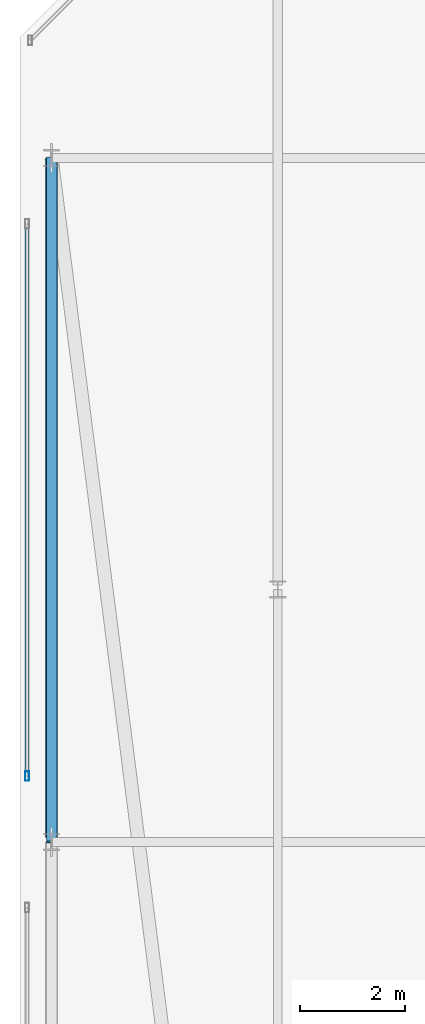
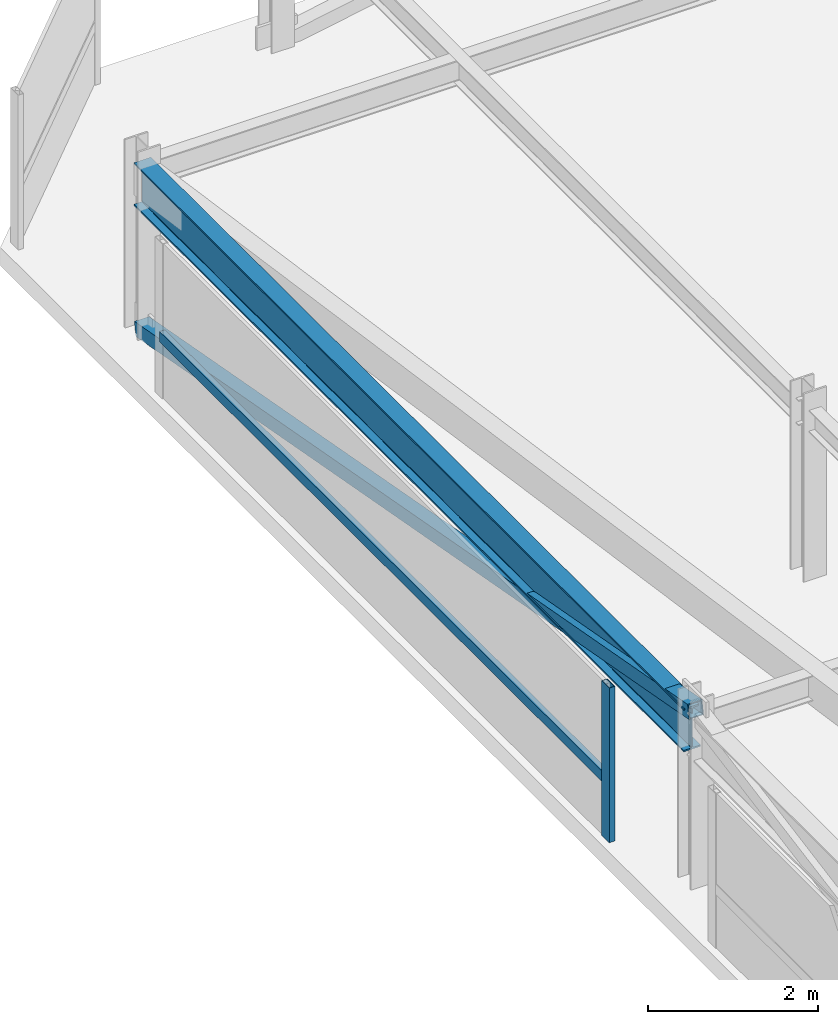
# One storey, part 16 of 44: 3 members, 1 beam, 1 element without a shape of its own.
"""IFC4 building model written with IfcOpenShell, lengths in metres."""

import ifcopenshell
import ifcopenshell.guid

model = None  # the IFC model being written
_history = None  # IfcOwnerHistory: only IFC2X3 demands one
_inside = {}  # id of a spatial element -> (the spatial element, [elements in it])
_under = {}  # id of a project, library or spatial element -> (it, [spatial elements below it])
_declared = {}  # id of a project -> (the project, [libraries it declares])
_typed = {}  # id of a type object -> (the type object, [elements of that type])
_made_of = {}  # id of a material, layer set ... -> (it, [elements and type objects made of it])


def new_model(schema):
    """Start an empty IFC model of exactly this schema.

    Asked for "IFC4X3", IfcOpenShell would pick the latest addendum, in which some entities
    have other attributes; the version numbers below select the first issue.
    IFC2X3 requires an IfcOwnerHistory on every rooted entity: one is made here for all.
    """
    global model, _history
    if schema == "IFC4X3":
        model = ifcopenshell.file(schema_version=(4, 3, 0, 0))
    else:
        model = ifcopenshell.file(schema=schema)
    _inside.clear()
    _under.clear()
    _declared.clear()
    _typed.clear()
    _made_of.clear()
    _history = None
    if model.schema == "IFC2X3":
        org = make("IfcOrganization", Name="unknown")
        user = make(
            "IfcPersonAndOrganization",
            ThePerson=make("IfcPerson", FamilyName="unknown"),
            TheOrganization=org,
        )
        app = make(
            "IfcApplication",
            ApplicationDeveloper=org,
            Version="unknown",
            ApplicationFullName="unknown",
            ApplicationIdentifier="unknown",
        )
        _history = make(
            "IfcOwnerHistory",
            OwningUser=user,
            OwningApplication=app,
            ChangeAction="ADDED",
            CreationDate=0,
        )
    return model


def make(cls, **values):
    """One entity of the class cls with the attributes given. An attribute that is None is left unset."""
    return model.create_entity(
        cls, **{name: value for name, value in values.items() if value is not None}
    )


def rooted(cls, **values):
    """An entity with a GlobalId (a new one), such as an element, a storey or a relation."""
    return make(cls, GlobalId=ifcopenshell.guid.new(), OwnerHistory=_history, **values)


def si_unit(unit_type, name, prefix=None):
    """IfcSIUnit, for example si_unit("LENGTHUNIT", "METRE", prefix="MILLI")."""
    return make("IfcSIUnit", UnitType=unit_type, Prefix=prefix, Name=name)


def assignment(units):
    """IfcUnitAssignment: the units of a project."""
    return None if units is None else make("IfcUnitAssignment", Units=units)


def point(xyz):
    """IfcCartesianPoint."""
    return None if xyz is None else make("IfcCartesianPoint", Coordinates=xyz)


def direction(xyz):
    """IfcDirection."""
    return None if xyz is None else make("IfcDirection", DirectionRatios=xyz)


def frame(location, z_axis=None, x_axis=None):
    """IfcAxis2Placement3D, a coordinate frame: its origin and axes. An axis left out is left unset."""
    return make(
        "IfcAxis2Placement3D",
        Location=point(location),
        Axis=direction(z_axis),
        RefDirection=direction(x_axis),
    )


def frame_2d(location, x_axis=None):
    """IfcAxis2Placement2D, a coordinate frame in the plane: its origin and x axis."""
    return make(
        "IfcAxis2Placement2D", Location=point(location), RefDirection=direction(x_axis)
    )


def origin():
    """The frame at (0, 0, 0) with its axes left unset."""
    return frame((0.0, 0.0, 0.0))


def origin_2d():
    """The frame at (0, 0) in the plane with its x axis left unset."""
    return frame_2d((0.0, 0.0))


def place(relative_to, where):
    """IfcLocalPlacement: puts the frame where relative to a parent placement (None: the world)."""
    return make(
        "IfcLocalPlacement", PlacementRelTo=relative_to, RelativePlacement=where
    )


def context(
    kind, dimensions, precision=None, world=None, true_north=None, identifier=None
):
    """IfcGeometricRepresentationContext, for example the 3D "Model" context."""
    return make(
        "IfcGeometricRepresentationContext",
        ContextIdentifier=identifier,
        ContextType=kind,
        CoordinateSpaceDimension=dimensions,
        Precision=precision,
        WorldCoordinateSystem=world,
        TrueNorth=true_north,
    )


def subcontext(parent, identifier, kind, view, scale=None):
    """IfcGeometricRepresentationSubContext, for example "Body" below "Model"."""
    return make(
        "IfcGeometricRepresentationSubContext",
        ContextIdentifier=identifier,
        ContextType=kind,
        ParentContext=parent,
        TargetScale=scale,
        TargetView=view,
    )


def project(units=None, contexts=None):
    """IfcProject with its units and contexts."""
    return rooted(
        "IfcProject",
        Name="project",
        RepresentationContexts=contexts,
        UnitsInContext=assignment(units),
    )


def spatial(cls, under=None, at=None, **own):
    """A site, building, storey or space (cls), placed at a placement, below another one or the project."""
    s = rooted(cls, ObjectPlacement=at, **own)
    if under is not None:
        _under.setdefault(under.id(), (under, []))[1].append(s)
    return s


def profile(cls, at=None, kind="AREA", **sizes):
    """A parametric profile (cls). Its sizes go by their IFC names, for example OverallWidth=200.0."""
    return make(cls, ProfileType=kind, Position=at, **sizes)


def hollow_rectangle(**sizes):
    """IfcRectangleHollowProfileDef."""
    return profile("IfcRectangleHollowProfileDef", **sizes)


def i_section(**sizes):
    """IfcIShapeProfileDef."""
    return profile("IfcIShapeProfileDef", **sizes)


def extrude(swept, where, along, depth):
    """IfcExtrudedAreaSolid: the profile swept, set in the frame where, extruded along a direction by depth."""
    return make(
        "IfcExtrudedAreaSolid",
        SweptArea=swept,
        Position=where,
        ExtrudedDirection=direction(along),
        Depth=depth,
    )


def shape(context_of_items, identifier, shape_type, items):
    """IfcShapeRepresentation: the items that make up one representation, for example the "Body"."""
    return make(
        "IfcShapeRepresentation",
        ContextOfItems=context_of_items,
        RepresentationIdentifier=identifier,
        RepresentationType=shape_type,
        Items=items,
    )


def material(Name=None, Category=None):
    """IfcMaterial."""
    return make("IfcMaterial", Name=Name, Category=Category)


def material_profile(
    of_material, cross_section, Name=None, Category=None, Priority=None
):
    """IfcMaterialProfile: a cross section and its material."""
    return make(
        "IfcMaterialProfile",
        Name=Name,
        Material=of_material,
        Profile=cross_section,
        Priority=Priority,
        Category=Category,
    )


def profile_set(profiles, Name=None, composite=None):
    """IfcMaterialProfileSet."""
    return make(
        "IfcMaterialProfileSet",
        Name=Name,
        MaterialProfiles=profiles,
        CompositeProfile=composite,
    )


def made_of(thing, what):
    """Note that an element or type object is made of a material, layer set ...; save() writes the relation."""
    if what is not None:
        _made_of.setdefault(what.id(), (what, []))[1].append(thing)
    return thing


def type_object(cls, material=None, **own):
    """A type object (cls), such as IfcWallType, which elements share."""
    return made_of(rooted(cls, **own), material)


def element(
    cls,
    number,
    at=None,
    inside=None,
    cuts=None,
    type_object=None,
    material=None,
    context=None,
    identifier="Body",
    shape_type=None,
    held_by="IfcProductDefinitionShape",
    body=None,
    shapes=None,
    **own,
):
    """One element of the class cls, such as IfcWall. Its Tag is "e" and its number.

    at: its placement. inside: the storey or other place that contains it. cuts: it is an
    opening in that element (IfcRelVoidsElement). A single representation is given by context,
    identifier, shape_type and body (its items); several are given by shapes. held_by: the class
    of the entity that holds the representations. save() writes the other relations.
    """
    e = rooted(cls, Tag="e%d" % number, ObjectPlacement=at, **own)
    if body is not None:
        shapes = [shape(context, identifier, shape_type, body)]
    if shapes is not None:
        e.Representation = make(held_by, Representations=shapes)
    if inside is not None:
        _inside.setdefault(inside.id(), (inside, []))[1].append(e)
    if cuts is not None:
        rooted(
            "IfcRelVoidsElement", RelatingBuildingElement=cuts, RelatedOpeningElement=e
        )
    if type_object is not None:
        _typed.setdefault(type_object.id(), (type_object, []))[1].append(e)
    return made_of(e, material)


def aggregate(whole, parts):
    """IfcRelAggregates: a whole, such as a stair, and the parts it consists of."""
    return rooted("IfcRelAggregates", RelatingObject=whole, RelatedObjects=parts)


def save(model, path):
    """Write the relations noted so far, then the file.

    IfcRelAggregates (storeys below a building ...), IfcRelContainedInSpatialStructure (elements
    in a storey), IfcRelDefinesByType, IfcRelAssociatesMaterial and IfcRelDeclares: one each for
    every whole, place, type object, material and project.
    """
    for whole, parts in _under.values():
        aggregate(whole, parts)
    for where, things in _inside.values():
        rooted(
            "IfcRelContainedInSpatialStructure",
            RelatedElements=things,
            RelatingStructure=where,
        )
    for kind, things in _typed.values():
        rooted("IfcRelDefinesByType", RelatedObjects=things, RelatingType=kind)
    for what, things in _made_of.values():
        rooted("IfcRelAssociatesMaterial", RelatedObjects=things, RelatingMaterial=what)
    for by, libraries in _declared.values():
        rooted("IfcRelDeclares", RelatingContext=by, RelatedDefinitions=libraries)
    model.write(path)


model = new_model("IFC4")

# Units and contexts
model_context = context("Model", 3, precision=1e-05, world=origin(), true_north=direction((0.0, 1.0)))
body_context = subcontext(model_context, "Body", "Model", "MODEL_VIEW")
ifc_project = project(units=[si_unit("LENGTHUNIT", "METRE"), si_unit("AREAUNIT", "SQUARE_METRE"), si_unit("VOLUMEUNIT", "CUBIC_METRE"), si_unit("PLANEANGLEUNIT", "RADIAN"), si_unit("MASSUNIT", "GRAM", prefix="KILO")], contexts=[model_context])

# Site, building, storey
site_placement = place(None, origin())
site = spatial("IfcSite", under=ifc_project, at=site_placement, CompositionType="ELEMENT")
building_placement = place(site_placement, origin())
building = spatial("IfcBuilding", under=site, at=building_placement, Name="Thornwick Lancets Civic Towers", CompositionType="ELEMENT")
storey_placement = place(building_placement, frame((0.0, 0.0, 292.199951171875)))
storey = spatial("IfcBuildingStorey", under=building, at=storey_placement, Name="C05", CompositionType="ELEMENT", Elevation=292.199951171875)

# Beam
ifc_material_1 = material(Name="Steel S355JR", Category="steel")
ifc_material_profile_1 = material_profile(ifc_material_1, i_section(OverallWidth=0.230224609375, OverallDepth=0.6171875, WebThickness=0.01318359375, FlangeThickness=0.022216796875, FilletRadius=0.0126953125, at=origin_2d()), Name="UKB 610x229x140")
ifc_profile_set_1 = profile_set([ifc_material_profile_1], Name="Steel S355JR")
beam_type = type_object("IfcBeamType", Name="BM_GIRD_610_140", PredefinedType="BEAM", material=ifc_profile_set_1)
beam_placement = place(storey_placement, frame((8.199951171875, 27.080078125, 2.13134765625), z_axis=(0.0, 1.0, 0.0), x_axis=(-1.0, 0.0, 0.0)))
element("IfcBeam", 1, at=beam_placement, inside=storey, type_object=beam_type, Name="BM-SPINE-C05-A-10-11", PredefinedType="BEAM", context=body_context, shape_type="SweptSolid", body=[
    extrude(i_section(OverallWidth=0.230224609375, OverallDepth=0.6171875, WebThickness=0.01318359375, FlangeThickness=0.022216796875, FilletRadius=0.0126953125, at=origin_2d()), origin(), (0.0, 0.0, 1.0), 12.919921875),
])

# Curtain wall, members
ifc_material_2 = material(Name="Crown ring acoustic-louvre and glazing screen wall", Category="glass")
curtain_wall_type = type_object("IfcCurtainWallType", Name="CW_SYS_07", PredefinedType="NOTDEFINED", material=ifc_material_2)
curtain_wall_placement = place(storey_placement, origin())
curtain_wall = element("IfcCurtainWall", 2, at=curtain_wall_placement, inside=storey, type_object=curtain_wall_type, Name="C05 Curtain Wall CW-C05-A-E6-S1", PredefinedType="NOTDEFINED")
ifc_material_3 = material(Name="Thermally broken bronze aluminium S355", Category="steel")
ifc_material_profile_2 = material_profile(ifc_material_3, hollow_rectangle(XDim=0.074951171875, YDim=0.179931640625, WallThickness=0.006103515625, at=origin_2d()), Name="RHS 180x75x6")
ifc_profile_set_2 = profile_set([ifc_material_profile_2], Name="Thermally broken bronze aluminium S355")
member_type_1 = type_object("IfcMemberType", Name="CW_MUL_180", PredefinedType="MULLION", material=ifc_profile_set_2)
member_1_placement = place(storey_placement, frame((7.7353515625, 28.25, 0.0), z_axis=(0.0, 0.0, 1.0), x_axis=(1.0, 0.0, 0.0)))
member_1 = element("IfcMember", 3, at=member_1_placement, type_object=member_type_1, Name="CW-C05-A-E6-S1 Mullion 1", PredefinedType="MULLION", context=body_context, shape_type="SweptSolid", body=[
    extrude(hollow_rectangle(XDim=0.074951171875, YDim=0.179931640625, WallThickness=0.006103515625, at=origin_2d()), origin(), (0.0, 0.0, 1.0), 2.219970703125),
])
ifc_material_profile_3 = material_profile(ifc_material_3, hollow_rectangle(XDim=0.074951171875, YDim=0.14990234375, WallThickness=0.0048828125, at=origin_2d()), Name="RHS 150x75x5")
ifc_profile_set_3 = profile_set([ifc_material_profile_3], Name="Thermally broken bronze aluminium S355")
member_type_2 = type_object("IfcMemberType", Name="CW_TRN_150", PredefinedType="USERDEFINED", material=ifc_profile_set_3)
member_2_placement = place(storey_placement, frame((7.7353515625, 38.72998046875, 0.85009765625), z_axis=(0.0, -1.0, 0.0), x_axis=(1.0, 0.0, 0.0)))
member_2 = element("IfcMember", 4, at=member_2_placement, type_object=member_type_2, Name="CW-C05-A-E6-S1 Transom 0", ObjectType="TRANSOM", PredefinedType="USERDEFINED", context=body_context, shape_type="SweptSolid", body=[
    extrude(hollow_rectangle(XDim=0.074951171875, YDim=0.14990234375, WallThickness=0.0048828125, at=origin_2d()), origin(), (0.0, 0.0, 1.0), 10.4599609375),
])
aggregate(curtain_wall, [member_1, member_2])

# Member
ifc_material_profile_4 = material_profile(ifc_material_1, hollow_rectangle(XDim=0.199951171875, YDim=0.199951171875, WallThickness=0.012451171875, at=origin_2d()), Name="SHS 200x200x12.5")
ifc_profile_set_4 = profile_set([ifc_material_profile_4], Name="Steel S355JR")
member_type_3 = type_object("IfcMemberType", Name="MEM_CROWN_SHS200", PredefinedType="BRACE", material=ifc_profile_set_4)
member_3_placement = place(storey_placement, frame((8.199951171875, 40.0, 0.050048828125), z_axis=(0.0, -0.98351842104, 0.180807951915), x_axis=(1.0, 0.0, 0.0)))
element("IfcMember", 5, at=member_3_placement, inside=storey, type_object=member_type_3, Name="C05 Crown Ring Lancet Rib A-S3-R", PredefinedType="BRACE", context=body_context, shape_type="SweptSolid", body=[
    extrude(hollow_rectangle(XDim=0.199951171875, YDim=0.199951171875, WallThickness=0.012451171875, at=origin_2d()), origin(), (0.0, 0.0, 1.0), 13.2177734375),
])

save(model, "model.ifc")
